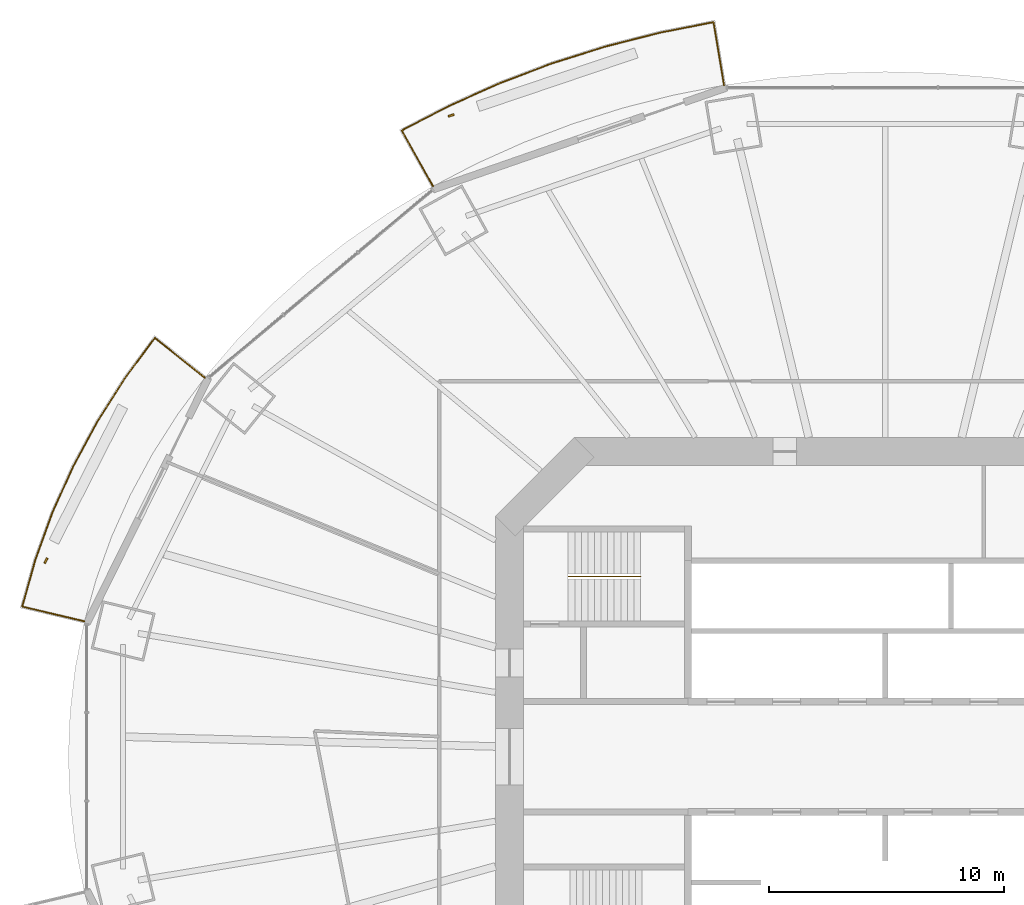
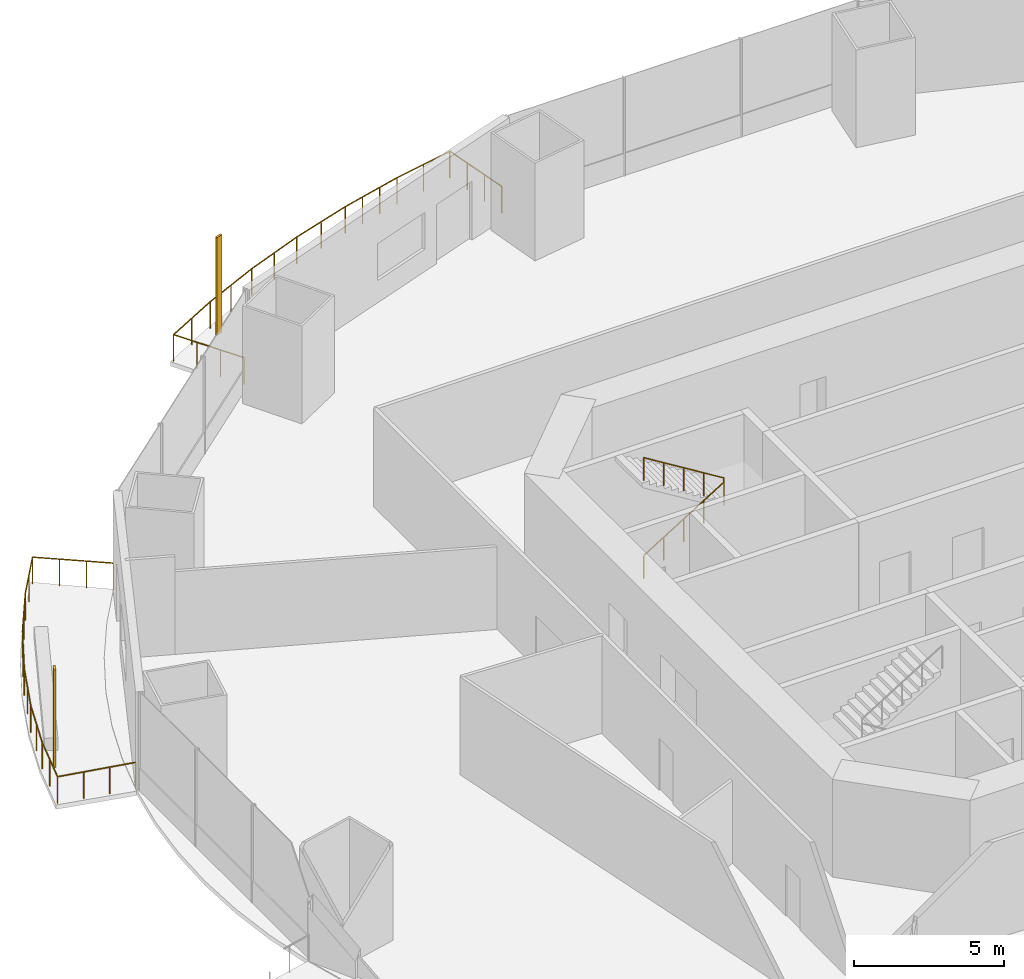
# One storey, part 19 of 22: 3 railings, 2 shading devices.
"""IFC4 building model written with IfcOpenShell, lengths in metres."""

from ifc_helpers import new_model, si_unit, direction, frame, origin, origin_2d, place, context, subcontext, project, spatial, rectangle, circle, extrude, material, material_profile, profile_set, type_object, element, save


model = new_model("IFC4")

# Units and contexts
model_context = context("Model", 3, precision=1e-05, world=origin(), true_north=direction((0.0, 1.0)))
body_context = subcontext(model_context, "Body", "Model", "MODEL_VIEW")
ifc_project = project(units=[si_unit("LENGTHUNIT", "METRE"), si_unit("AREAUNIT", "SQUARE_METRE"), si_unit("VOLUMEUNIT", "CUBIC_METRE"), si_unit("PLANEANGLEUNIT", "RADIAN"), si_unit("MASSUNIT", "GRAM", prefix="KILO")], contexts=[model_context])

# Site, building, storey
site_placement = place(None, origin())
site = spatial("IfcSite", under=ifc_project, at=site_placement, CompositionType="ELEMENT")
building_placement = place(site_placement, origin())
building = spatial("IfcBuilding", under=site, at=building_placement, Name="Marenthal Gate Tower", CompositionType="ELEMENT")
storey_placement = place(building_placement, frame((0.0, 0.0, 99.39990234375)))
storey = spatial("IfcBuildingStorey", under=building, at=storey_placement, Name="L20", CompositionType="ELEMENT", Elevation=99.39990234375)

# Railings
ifc_material_1 = material(Name="Stainless steel", Category="steel")
railing_type_1 = type_object("IfcRailingType", Name="Balcony guard 1100", PredefinedType="GUARDRAIL", material=ifc_material_1)
railing_1_placement = place(storey_placement, frame((-19.25732421875, 24.295654296875, 0.0)))
element("IfcRailing", 1, at=railing_1_placement, inside=storey, type_object=railing_type_1, Name="Balcony guard L20 bay 5", PredefinedType="GUARDRAIL", context=body_context, shape_type="SweptSolid", body=[
    extrude(circle(Radius=0.02392578125, at=origin_2d()), frame((0.0, 0.0, 1.076171875), z_axis=(-0.489130352143, 0.87208800583, -0.01462903622), x_axis=(-0.872181338021, -0.489182699621, 0.0)), (0.0, 0.0, 1.0), 2.72021484375),
    extrude(circle(Radius=0.02392578125, at=origin_2d()), frame((-1.33056640625, 2.372314453125, 1.0361328125), z_axis=(0.887149676746, 0.461481799261, 0.0), x_axis=(-0.461481799261, 0.887149676746, 0.0)), (0.0, 0.0, 1.0), 2.26318359375),
    extrude(circle(Radius=0.02392578125, at=origin_2d()), frame((0.67724609375, 3.416748046875, 1.0361328125), z_axis=(0.91251864488, 0.409035111876, 0.0), x_axis=(-0.409035111876, 0.91251864488, 0.0)), (0.0, 0.0, 1.0), 2.360107421875),
    extrude(circle(Radius=0.02392578125, at=origin_2d()), frame((2.830810546875, 4.382080078125, 1.0361328125), z_axis=(0.934799959644, 0.355174654852, 0.0), x_axis=(-0.355174654852, 0.934799959644, 0.0)), (0.0, 0.0, 1.0), 2.37548828125),
    extrude(circle(Radius=0.02392578125, at=origin_2d()), frame((5.051513671875, 5.225830078125, 1.0361328125), z_axis=(0.953610460093, 0.301043336416, 0.0), x_axis=(-0.301043336416, 0.953610460093, 0.0)), (0.0, 0.0, 1.0), 2.38916015625),
    extrude(circle(Radius=0.02392578125, at=origin_2d()), frame((7.329833984375, 5.945068359375, 1.0361328125), z_axis=(0.969123243842, 0.246576840449, 0.0), x_axis=(-0.246576840449, 0.969123243842, 0.0)), (0.0, 0.0, 1.0), 2.401123046875),
    extrude(circle(Radius=0.02392578125, at=origin_2d()), frame((9.65673828125, 6.537109375, 1.0361328125), z_axis=(0.981231836587, 0.192831747562, 0.0), x_axis=(-0.192831747562, 0.981231836587, 0.0)), (0.0, 0.0, 1.0), 2.330810546875),
    extrude(circle(Radius=0.02392578125, at=origin_2d()), frame((11.94384765625, 6.986572265625, 1.0361328125), z_axis=(0.164585130929, -0.986254410528, 0.01462779517), x_axis=(0.986359943071, 0.164602742092, 0.0)), (0.0, 0.0, 1.0), 2.720458984375),
    extrude(circle(Radius=0.02099609375, at=origin_2d()), origin(), (0.0, 0.0, 1.0), 1.052001953125),
    extrude(circle(Radius=0.02099609375, at=origin_2d()), frame((-0.443603515625, 0.790771484375, -0.01318359375)), (0.0, 0.0, 1.0), 1.052001953125),
    extrude(circle(Radius=0.02099609375, at=origin_2d()), frame((-0.886962890625, 1.58154296875, -0.026611328125)), (0.0, 0.0, 1.0), 1.052001953125),
    extrude(circle(Radius=0.02099609375, at=origin_2d()), frame((-1.33056640625, 2.372314453125, -0.039794921875)), (0.0, 0.0, 1.0), 1.052001953125),
    extrude(circle(Radius=0.02099609375, at=origin_2d()), frame((-0.32666015625, 2.89453125, -0.039794921875)), (0.0, 0.0, 1.0), 1.052001953125),
    extrude(circle(Radius=0.02099609375, at=origin_2d()), frame((0.67724609375, 3.416748046875, -0.039794921875)), (0.0, 0.0, 1.0), 1.052001953125),
    extrude(circle(Radius=0.02099609375, at=origin_2d()), frame((1.75390625, 3.8994140625, -0.039794921875)), (0.0, 0.0, 1.0), 1.052001953125),
    extrude(circle(Radius=0.02099609375, at=origin_2d()), frame((2.830810546875, 4.382080078125, -0.039794921875)), (0.0, 0.0, 1.0), 1.052001953125),
    extrude(circle(Radius=0.02099609375, at=origin_2d()), frame((3.941162109375, 4.803955078125, -0.039794921875)), (0.0, 0.0, 1.0), 1.052001953125),
    extrude(circle(Radius=0.02099609375, at=origin_2d()), frame((5.051513671875, 5.225830078125, -0.039794921875)), (0.0, 0.0, 1.0), 1.052001953125),
    extrude(circle(Radius=0.02099609375, at=origin_2d()), frame((6.190673828125, 5.58544921875, -0.039794921875)), (0.0, 0.0, 1.0), 1.052001953125),
    extrude(circle(Radius=0.02099609375, at=origin_2d()), frame((7.329833984375, 5.945068359375, -0.039794921875)), (0.0, 0.0, 1.0), 1.052001953125),
    extrude(circle(Radius=0.02099609375, at=origin_2d()), frame((8.10546875, 6.142333984375, -0.039794921875)), (0.0, 0.0, 1.0), 1.052001953125),
    extrude(circle(Radius=0.02099609375, at=origin_2d()), frame((8.881103515625, 6.33984375, -0.039794921875)), (0.0, 0.0, 1.0), 1.052001953125),
    extrude(circle(Radius=0.02099609375, at=origin_2d()), frame((9.65673828125, 6.537109375, -0.039794921875)), (0.0, 0.0, 1.0), 1.052001953125),
    extrude(circle(Radius=0.02099609375, at=origin_2d()), frame((10.80029296875, 6.76171875, -0.039794921875)), (0.0, 0.0, 1.0), 1.052001953125),
    extrude(circle(Radius=0.02099609375, at=origin_2d()), frame((11.94384765625, 6.986572265625, -0.039794921875)), (0.0, 0.0, 1.0), 1.052001953125),
    extrude(circle(Radius=0.02099609375, at=origin_2d()), frame((12.093017578125, 6.09228515625, -0.026611328125)), (0.0, 0.0, 1.0), 1.052001953125),
    extrude(circle(Radius=0.02099609375, at=origin_2d()), frame((12.242431640625, 5.19775390625, -0.01318359375)), (0.0, 0.0, 1.0), 1.052001953125),
    extrude(circle(Radius=0.02099609375, at=origin_2d()), frame((12.3916015625, 4.303466796875, 0.0)), (0.0, 0.0, 1.0), 1.052001953125),
])
railing_2_placement = place(storey_placement, frame((-34.10107421875, 5.769287109375, 0.0)))
element("IfcRailing", 2, at=railing_2_placement, inside=storey, type_object=railing_type_1, Name="Balcony guard L20 bay 7", PredefinedType="GUARDRAIL", context=body_context, shape_type="SweptSolid", body=[
    extrude(circle(Radius=0.02392578125, at=origin_2d()), frame((0.0, 0.0, 1.076171875), z_axis=(-0.972948082901, 0.230560245824, -0.014628773869), x_axis=(-0.230584919848, -0.973052205557, 0.0)), (0.0, 0.0, 1.0), 2.72021484375),
    extrude(circle(Radius=0.02392578125, at=origin_2d()), frame((-2.646728515625, 0.627197265625, 1.0361328125), z_axis=(0.269277750694, 0.963062559225, 0.0), x_axis=(-0.963062559225, 0.269277750694, 0.0)), (0.0, 0.0, 1.0), 2.05712890625),
    extrude(circle(Radius=0.02392578125, at=origin_2d()), frame((-2.0927734375, 2.6083984375, 1.0361328125), z_axis=(0.340136081654, 0.940376225751, 0.0), x_axis=(-0.940376225751, 0.340136081654, 0.0)), (0.0, 0.0, 1.0), 2.1474609375),
    extrude(circle(Radius=0.02392578125, at=origin_2d()), frame((-1.3623046875, 4.6279296875, 1.0361328125), z_axis=(0.409429124113, 0.91234192731, 0.0), x_axis=(-0.91234192731, 0.409429124113, 0.0)), (0.0, 0.0, 1.0), 2.15966796875),
    extrude(circle(Radius=0.02392578125, at=origin_2d()), frame((-0.47802734375, 6.598388671875, 1.0361328125), z_axis=(0.475284522292, 0.879832156078, 0.0), x_axis=(-0.879832156078, 0.475284522292, 0.0)), (0.0, 0.0, 1.0), 2.17431640625),
    extrude(circle(Radius=0.02392578125, at=origin_2d()), frame((0.555419921875, 8.511474609375, 1.0361328125), z_axis=(0.537452327695, 0.843294133417, 0.0), x_axis=(-0.843294133417, 0.537452327695, 0.0)), (0.0, 0.0, 1.0), 2.1904296875),
    extrude(circle(Radius=0.02392578125, at=origin_2d()), frame((1.732666015625, 10.358642578125, 1.0361328125), z_axis=(0.594516836854, 0.804083161556, 0.0), x_axis=(-0.804083161556, 0.594516836854, 0.0)), (0.0, 0.0, 1.0), 2.12841796875),
    extrude(circle(Radius=0.02392578125, at=origin_2d()), frame((2.998046875, 12.070068359375, 1.0361328125), z_axis=(0.782219115125, -0.622831649721, 0.014628466701), x_axis=(0.622898300926, 0.782302822892, 0.0)), (0.0, 0.0, 1.0), 2.720458984375),
    extrude(circle(Radius=0.02099609375, at=origin_2d()), origin(), (0.0, 0.0, 1.0), 1.052001953125),
    extrude(circle(Radius=0.02099609375, at=origin_2d()), frame((-0.88232421875, 0.208984375, -0.01318359375)), (0.0, 0.0, 1.0), 1.052001953125),
    extrude(circle(Radius=0.02099609375, at=origin_2d()), frame((-1.764404296875, 0.418212890625, -0.026611328125)), (0.0, 0.0, 1.0), 1.052001953125),
    extrude(circle(Radius=0.02099609375, at=origin_2d()), frame((-2.646728515625, 0.627197265625, -0.039794921875)), (0.0, 0.0, 1.0), 1.052001953125),
    extrude(circle(Radius=0.02099609375, at=origin_2d()), frame((-2.36962890625, 1.61767578125, -0.039794921875)), (0.0, 0.0, 1.0), 1.052001953125),
    extrude(circle(Radius=0.02099609375, at=origin_2d()), frame((-2.0927734375, 2.6083984375, -0.039794921875)), (0.0, 0.0, 1.0), 1.052001953125),
    extrude(circle(Radius=0.02099609375, at=origin_2d()), frame((-1.7275390625, 3.6181640625, -0.039794921875)), (0.0, 0.0, 1.0), 1.052001953125),
    extrude(circle(Radius=0.02099609375, at=origin_2d()), frame((-1.3623046875, 4.6279296875, -0.039794921875)), (0.0, 0.0, 1.0), 1.052001953125),
    extrude(circle(Radius=0.02099609375, at=origin_2d()), frame((-0.920166015625, 5.61328125, -0.039794921875)), (0.0, 0.0, 1.0), 1.052001953125),
    extrude(circle(Radius=0.02099609375, at=origin_2d()), frame((-0.47802734375, 6.598388671875, -0.039794921875)), (0.0, 0.0, 1.0), 1.052001953125),
    extrude(circle(Radius=0.02099609375, at=origin_2d()), frame((0.03857421875, 7.554931640625, -0.039794921875)), (0.0, 0.0, 1.0), 1.052001953125),
    extrude(circle(Radius=0.02099609375, at=origin_2d()), frame((0.555419921875, 8.511474609375, -0.039794921875)), (0.0, 0.0, 1.0), 1.052001953125),
    extrude(circle(Radius=0.02099609375, at=origin_2d()), frame((1.14404296875, 9.43505859375, -0.039794921875)), (0.0, 0.0, 1.0), 1.052001953125),
    extrude(circle(Radius=0.02099609375, at=origin_2d()), frame((1.732666015625, 10.358642578125, -0.039794921875)), (0.0, 0.0, 1.0), 1.052001953125),
    extrude(circle(Radius=0.02099609375, at=origin_2d()), frame((2.365234375, 11.21435546875, -0.039794921875)), (0.0, 0.0, 1.0), 1.052001953125),
    extrude(circle(Radius=0.02099609375, at=origin_2d()), frame((2.998046875, 12.070068359375, -0.039794921875)), (0.0, 0.0, 1.0), 1.052001953125),
    extrude(circle(Radius=0.02099609375, at=origin_2d()), frame((3.707275390625, 11.50537109375, -0.026611328125)), (0.0, 0.0, 1.0), 1.052001953125),
    extrude(circle(Radius=0.02099609375, at=origin_2d()), frame((4.416748046875, 10.9404296875, -0.01318359375)), (0.0, 0.0, 1.0), 1.052001953125),
    extrude(circle(Radius=0.02099609375, at=origin_2d()), frame((5.1259765625, 10.375732421875, 0.0)), (0.0, 0.0, 1.0), 1.052001953125),
])
ifc_material_2 = material(Name="Stainless steel", Category="steel")
railing_type_2 = type_object("IfcRailingType", Name="Stair handrail", PredefinedType="HANDRAIL", material=ifc_material_2)
railing_3_placement = place(storey_placement, frame((-13.5, 7.675048828125, 0.173095703125)))
element("IfcRailing", 3, at=railing_3_placement, inside=storey, type_object=railing_type_2, Name="Handrail ST1", PredefinedType="HANDRAIL", context=body_context, shape_type="SweptSolid", body=[
    extrude(circle(Radius=0.0224609375, at=origin_2d()), frame((0.0, 0.0, 0.927490234375), z_axis=(0.850835241893, 0.0, 0.525432575268), x_axis=(0.0, 1.0, 0.0)), (0.0, 0.0, 1.0), 3.6201171875),
    extrude(circle(Radius=0.0224609375, at=origin_2d()), frame((3.080078125, 0.0, 2.82958984375), z_axis=(0.0, 0.0, 1.0), x_axis=(1.0, 0.0, 0.0)), (0.0, 0.0, 1.0), 0.1728515625),
    extrude(circle(Radius=0.0224609375, at=origin_2d()), frame((3.080078125, 0.0, 3.00244140625), z_axis=(-0.850835241893, 0.0, 0.525432575268), x_axis=(0.0, -1.0, 0.0)), (0.0, 0.0, 1.0), 3.6201171875),
    extrude(circle(Radius=0.02001953125, at=origin_2d()), origin(), (0.0, 0.0, 1.0), 0.905029296875),
    extrude(circle(Radius=0.02001953125, at=origin_2d()), frame((0.77001953125, 0.0, 0.4755859375)), (0.0, 0.0, 1.0), 0.905029296875),
    extrude(circle(Radius=0.02001953125, at=origin_2d()), frame((1.5400390625, 0.0, 0.951171875)), (0.0, 0.0, 1.0), 0.905029296875),
    extrude(circle(Radius=0.02001953125, at=origin_2d()), frame((2.31005859375, 0.0, 1.426513671875)), (0.0, 0.0, 1.0), 0.905029296875),
    extrude(circle(Radius=0.02001953125, at=origin_2d()), frame((3.080078125, 0.0, 1.902099609375)), (0.0, 0.0, 1.0), 0.905029296875),
    extrude(circle(Radius=0.02001953125, at=origin_2d()), frame((3.080078125, 0.0, 2.074951171875)), (0.0, 0.0, 1.0), 0.905029296875),
    extrude(circle(Radius=0.02001953125, at=origin_2d()), frame((2.31005859375, 0.0, 2.550537109375)), (0.0, 0.0, 1.0), 0.905029296875),
    extrude(circle(Radius=0.02001953125, at=origin_2d()), frame((1.5400390625, 0.0, 3.02587890625)), (0.0, 0.0, 1.0), 0.905029296875),
    extrude(circle(Radius=0.02001953125, at=origin_2d()), frame((0.77001953125, 0.0, 3.50146484375)), (0.0, 0.0, 1.0), 0.905029296875),
    extrude(circle(Radius=0.02001953125, at=origin_2d()), frame((0.0, 0.0, 3.97705078125)), (0.0, 0.0, 1.0), 0.905029296875),
])

# Shading devices
ifc_material_3 = material(Name="Terracotta", Category="masonry")
ifc_material_profile = material_profile(ifc_material_3, rectangle(XDim=0.25, YDim=0.080078125, at=origin_2d()), Name="Terracotta baguette 250x80")
ifc_profile_set = profile_set([ifc_material_profile], Name="Terracotta")
shading_device_type = type_object("IfcShadingDeviceType", Name="Terracotta BAGUETTE SCREEN 250x80", PredefinedType="USERDEFINED", material=ifc_profile_set)
for number, where, z_axis, x_axis, name in (
    (4, (-18.486572265625, 27.31005859375, -0.039794921875), (0.0, 0.0, 1.0), (-0.94461425051, -0.328182750512, 0.0), "Terracotta BAGUETTE L20 bay 5R"),
    (5, (-35.7412109375, 8.34765625, -0.039794921875), (0.0, 0.0, 1.0), (-0.44279047576, -0.896625113733, 0.0), "Terracotta BAGUETTE L20 bay 7R"),
):
    element("IfcShadingDevice", number, at=place(storey_placement, frame(where, z_axis=z_axis, x_axis=x_axis)), inside=storey, type_object=shading_device_type, Name=name, ObjectType="BAGUETTE SCREEN", PredefinedType="USERDEFINED", context=body_context, shape_type="SweptSolid", body=[
        extrude(rectangle(XDim=0.25, YDim=0.080078125, at=origin_2d()), origin(), (0.0, 0.0, 1.0), 3.969970703125),
    ])

save(model, "model.ifc")
